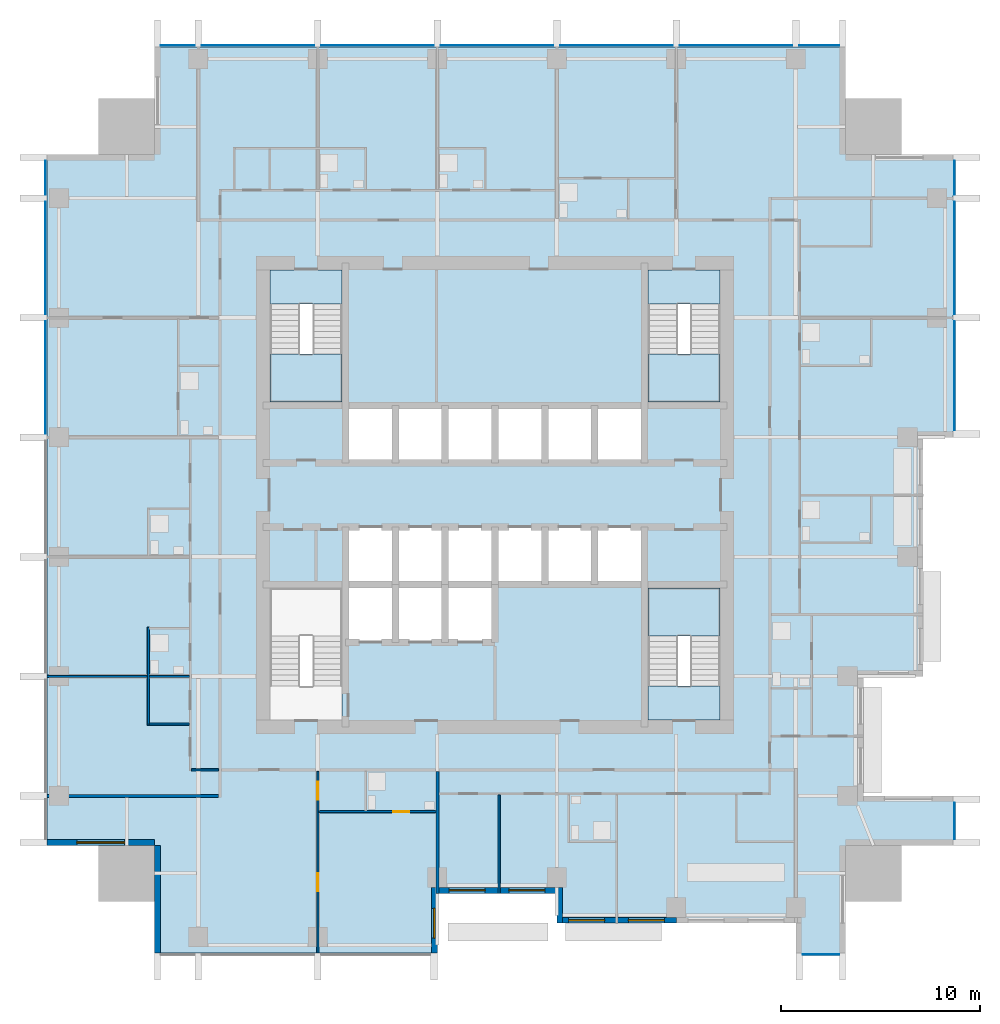
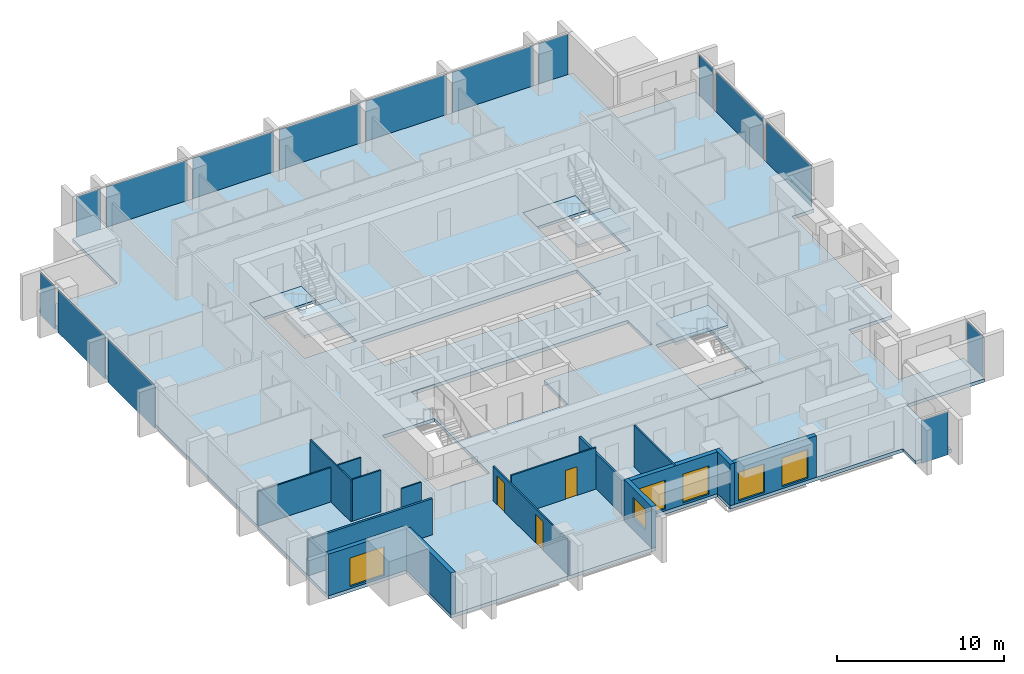
# One storey, part 3 of 10: 15 plates, 15 walls, 7 slabs, 6 windows, 3 doors, 9 openings, 8 elements without a shape of their own.
"""IFC4 building model written with IfcOpenShell, lengths in metres."""

import ifcopenshell
import ifcopenshell.guid

model = None  # the IFC model being written
_history = None  # IfcOwnerHistory: only IFC2X3 demands one
_inside = {}  # id of a spatial element -> (the spatial element, [elements in it])
_under = {}  # id of a project, library or spatial element -> (it, [spatial elements below it])
_declared = {}  # id of a project -> (the project, [libraries it declares])
_typed = {}  # id of a type object -> (the type object, [elements of that type])
_made_of = {}  # id of a material, layer set ... -> (it, [elements and type objects made of it])


def new_model(schema):
    """Start an empty IFC model of exactly this schema.

    Asked for "IFC4X3", IfcOpenShell would pick the latest addendum, in which some entities
    have other attributes; the version numbers below select the first issue.
    IFC2X3 requires an IfcOwnerHistory on every rooted entity: one is made here for all.
    """
    global model, _history
    if schema == "IFC4X3":
        model = ifcopenshell.file(schema_version=(4, 3, 0, 0))
    else:
        model = ifcopenshell.file(schema=schema)
    _inside.clear()
    _under.clear()
    _declared.clear()
    _typed.clear()
    _made_of.clear()
    _history = None
    if model.schema == "IFC2X3":
        org = make("IfcOrganization", Name="unknown")
        user = make(
            "IfcPersonAndOrganization",
            ThePerson=make("IfcPerson", FamilyName="unknown"),
            TheOrganization=org,
        )
        app = make(
            "IfcApplication",
            ApplicationDeveloper=org,
            Version="unknown",
            ApplicationFullName="unknown",
            ApplicationIdentifier="unknown",
        )
        _history = make(
            "IfcOwnerHistory",
            OwningUser=user,
            OwningApplication=app,
            ChangeAction="ADDED",
            CreationDate=0,
        )
    return model


def make(cls, **values):
    """One entity of the class cls with the attributes given. An attribute that is None is left unset."""
    return model.create_entity(
        cls, **{name: value for name, value in values.items() if value is not None}
    )


def rooted(cls, **values):
    """An entity with a GlobalId (a new one), such as an element, a storey or a relation."""
    return make(cls, GlobalId=ifcopenshell.guid.new(), OwnerHistory=_history, **values)


def si_unit(unit_type, name, prefix=None):
    """IfcSIUnit, for example si_unit("LENGTHUNIT", "METRE", prefix="MILLI")."""
    return make("IfcSIUnit", UnitType=unit_type, Prefix=prefix, Name=name)


def assignment(units):
    """IfcUnitAssignment: the units of a project."""
    return None if units is None else make("IfcUnitAssignment", Units=units)


def point(xyz):
    """IfcCartesianPoint."""
    return None if xyz is None else make("IfcCartesianPoint", Coordinates=xyz)


def direction(xyz):
    """IfcDirection."""
    return None if xyz is None else make("IfcDirection", DirectionRatios=xyz)


def frame(location, z_axis=None, x_axis=None):
    """IfcAxis2Placement3D, a coordinate frame: its origin and axes. An axis left out is left unset."""
    return make(
        "IfcAxis2Placement3D",
        Location=point(location),
        Axis=direction(z_axis),
        RefDirection=direction(x_axis),
    )


def frame_2d(location, x_axis=None):
    """IfcAxis2Placement2D, a coordinate frame in the plane: its origin and x axis."""
    return make(
        "IfcAxis2Placement2D", Location=point(location), RefDirection=direction(x_axis)
    )


def origin():
    """The frame at (0, 0, 0) with its axes left unset."""
    return frame((0.0, 0.0, 0.0))


def origin_2d():
    """The frame at (0, 0) in the plane with its x axis left unset."""
    return frame_2d((0.0, 0.0))


def place(relative_to, where):
    """IfcLocalPlacement: puts the frame where relative to a parent placement (None: the world)."""
    return make(
        "IfcLocalPlacement", PlacementRelTo=relative_to, RelativePlacement=where
    )


def context(
    kind, dimensions, precision=None, world=None, true_north=None, identifier=None
):
    """IfcGeometricRepresentationContext, for example the 3D "Model" context."""
    return make(
        "IfcGeometricRepresentationContext",
        ContextIdentifier=identifier,
        ContextType=kind,
        CoordinateSpaceDimension=dimensions,
        Precision=precision,
        WorldCoordinateSystem=world,
        TrueNorth=true_north,
    )


def subcontext(parent, identifier, kind, view, scale=None):
    """IfcGeometricRepresentationSubContext, for example "Body" below "Model"."""
    return make(
        "IfcGeometricRepresentationSubContext",
        ContextIdentifier=identifier,
        ContextType=kind,
        ParentContext=parent,
        TargetScale=scale,
        TargetView=view,
    )


def project(units=None, contexts=None):
    """IfcProject with its units and contexts."""
    return rooted(
        "IfcProject",
        Name="project",
        RepresentationContexts=contexts,
        UnitsInContext=assignment(units),
    )


def spatial(cls, under=None, at=None, **own):
    """A site, building, storey or space (cls), placed at a placement, below another one or the project."""
    s = rooted(cls, ObjectPlacement=at, **own)
    if under is not None:
        _under.setdefault(under.id(), (under, []))[1].append(s)
    return s


def polyline(points):
    """IfcPolyline through the points."""
    return make("IfcPolyline", Points=[point(p) for p in points])


def profile(cls, at=None, kind="AREA", **sizes):
    """A parametric profile (cls). Its sizes go by their IFC names, for example OverallWidth=200.0."""
    return make(cls, ProfileType=kind, Position=at, **sizes)


def rectangle(**sizes):
    """IfcRectangleProfileDef."""
    return profile("IfcRectangleProfileDef", **sizes)


def outline(outer, holes=None, kind="AREA"):
    """IfcArbitraryClosedProfileDef: a profile drawn as a closed curve; with holes, ...WithVoids."""
    if holes is None:
        return make("IfcArbitraryClosedProfileDef", ProfileType=kind, OuterCurve=outer)
    return make(
        "IfcArbitraryProfileDefWithVoids",
        ProfileType=kind,
        OuterCurve=outer,
        InnerCurves=holes,
    )


def extrude(swept, where, along, depth):
    """IfcExtrudedAreaSolid: the profile swept, set in the frame where, extruded along a direction by depth."""
    return make(
        "IfcExtrudedAreaSolid",
        SweptArea=swept,
        Position=where,
        ExtrudedDirection=direction(along),
        Depth=depth,
    )


def shape(context_of_items, identifier, shape_type, items):
    """IfcShapeRepresentation: the items that make up one representation, for example the "Body"."""
    return make(
        "IfcShapeRepresentation",
        ContextOfItems=context_of_items,
        RepresentationIdentifier=identifier,
        RepresentationType=shape_type,
        Items=items,
    )


def material(Name=None, Category=None):
    """IfcMaterial."""
    return make("IfcMaterial", Name=Name, Category=Category)


def layer(
    of_material, thickness, ventilated=None, Name=None, Category=None, Priority=None
):
    """IfcMaterialLayer: one layer of a wall or slab, of a material (None: an air gap)."""
    return make(
        "IfcMaterialLayer",
        Material=of_material,
        LayerThickness=thickness,
        IsVentilated=ventilated,
        Name=Name,
        Category=Category,
        Priority=Priority,
    )


def layer_set(layers, Name=None):
    """IfcMaterialLayerSet."""
    return make("IfcMaterialLayerSet", MaterialLayers=layers, LayerSetName=Name)


def made_of(thing, what):
    """Note that an element or type object is made of a material, layer set ...; save() writes the relation."""
    if what is not None:
        _made_of.setdefault(what.id(), (what, []))[1].append(thing)
    return thing


def type_object(cls, material=None, **own):
    """A type object (cls), such as IfcWallType, which elements share."""
    return made_of(rooted(cls, **own), material)


def element(
    cls,
    number,
    at=None,
    inside=None,
    cuts=None,
    type_object=None,
    material=None,
    context=None,
    identifier="Body",
    shape_type=None,
    held_by="IfcProductDefinitionShape",
    body=None,
    shapes=None,
    **own,
):
    """One element of the class cls, such as IfcWall. Its Tag is "e" and its number.

    at: its placement. inside: the storey or other place that contains it. cuts: it is an
    opening in that element (IfcRelVoidsElement). A single representation is given by context,
    identifier, shape_type and body (its items); several are given by shapes. held_by: the class
    of the entity that holds the representations. save() writes the other relations.
    """
    e = rooted(cls, Tag="e%d" % number, ObjectPlacement=at, **own)
    if body is not None:
        shapes = [shape(context, identifier, shape_type, body)]
    if shapes is not None:
        e.Representation = make(held_by, Representations=shapes)
    if inside is not None:
        _inside.setdefault(inside.id(), (inside, []))[1].append(e)
    if cuts is not None:
        rooted(
            "IfcRelVoidsElement", RelatingBuildingElement=cuts, RelatedOpeningElement=e
        )
    if type_object is not None:
        _typed.setdefault(type_object.id(), (type_object, []))[1].append(e)
    return made_of(e, material)


def fill(opening, filler):
    """IfcRelFillsElement: the door or window that sits in an opening."""
    return rooted(
        "IfcRelFillsElement",
        RelatingOpeningElement=opening,
        RelatedBuildingElement=filler,
    )


def aggregate(whole, parts):
    """IfcRelAggregates: a whole, such as a stair, and the parts it consists of."""
    return rooted("IfcRelAggregates", RelatingObject=whole, RelatedObjects=parts)


def save(model, path):
    """Write the relations noted so far, then the file.

    IfcRelAggregates (storeys below a building ...), IfcRelContainedInSpatialStructure (elements
    in a storey), IfcRelDefinesByType, IfcRelAssociatesMaterial and IfcRelDeclares: one each for
    every whole, place, type object, material and project.
    """
    for whole, parts in _under.values():
        aggregate(whole, parts)
    for where, things in _inside.values():
        rooted(
            "IfcRelContainedInSpatialStructure",
            RelatedElements=things,
            RelatingStructure=where,
        )
    for kind, things in _typed.values():
        rooted("IfcRelDefinesByType", RelatedObjects=things, RelatingType=kind)
    for what, things in _made_of.values():
        rooted("IfcRelAssociatesMaterial", RelatedObjects=things, RelatingMaterial=what)
    for by, libraries in _declared.values():
        rooted("IfcRelDeclares", RelatingContext=by, RelatedDefinitions=libraries)
    model.write(path)


model = new_model("IFC4")

# Units and contexts
model_context = context("Model", 3, precision=1e-05, world=origin(), true_north=direction((0.0, 1.0)))
body_context = subcontext(model_context, "Body", "Model", "MODEL_VIEW")
ifc_project = project(units=[si_unit("LENGTHUNIT", "METRE"), si_unit("AREAUNIT", "SQUARE_METRE"), si_unit("VOLUMEUNIT", "CUBIC_METRE"), si_unit("PLANEANGLEUNIT", "RADIAN"), si_unit("MASSUNIT", "GRAM", prefix="KILO")], contexts=[model_context])

# Site, building, storey
site_placement = place(None, origin())
site = spatial("IfcSite", under=ifc_project, at=site_placement, CompositionType="ELEMENT")
building_placement = place(site_placement, origin())
building = spatial("IfcBuilding", under=site, at=building_placement, Name="Amberfall Residences", CompositionType="ELEMENT")
storey_placement = place(building_placement, frame((0.0, 0.0, 140.5)))
storey = spatial("IfcBuildingStorey", under=building, at=storey_placement, Name="L37", CompositionType="ELEMENT", Elevation=140.5)

# Curtain wall, plate
ifc_material_1 = material(Name="Bronze anodised aluminium and glass", Category="aluminium")
curtain_wall_type = type_object("IfcCurtainWallType", Name="Curtain wall CW1 tower unit", PredefinedType="USERDEFINED", material=ifc_material_1)
curtain_wall_1_placement = place(storey_placement, origin())
curtain_wall_1 = element("IfcCurtainWall", 1, at=curtain_wall_1_placement, inside=storey, type_object=curtain_wall_type, Name="Curtain wall L37 S S8", ObjectType="UNITISED CURTAIN WALL", PredefinedType="USERDEFINED")
ifc_material_2 = material(Name="Tinted double glazed unit", Category="glass")
ifc_layer_1 = layer(ifc_material_2, 0.035888671875)
ifc_layer_set_1 = layer_set([ifc_layer_1], Name="CW1 panel 36 glazing")
plate_type = type_object("IfcPlateType", Name="CW1 panel 36 glazing", PredefinedType="CURTAIN_PANEL", material=ifc_layer_set_1)
plate_1_placement = place(storey_placement, frame((90.875, 22.425048828125, -0.25), z_axis=(0.0, 0.0, 1.0), x_axis=(1.0, 0.0, 0.0)))
plate_1 = element("IfcPlate", 2, at=plate_1_placement, type_object=plate_type, Name="CW1 panel 1.1", PredefinedType="CURTAIN_PANEL", context=body_context, shape_type="SweptSolid", body=[
    extrude(rectangle(XDim=1.825927734375, YDim=0.035888671875, at=origin_2d()), origin(), (0.0, 0.0, 1.0), 3.14990234375),
])
aggregate(curtain_wall_1, [plate_1])

curtain_wall_2_placement = place(storey_placement, origin())
curtain_wall_2 = element("IfcCurtainWall", 3, at=curtain_wall_2_placement, inside=storey, type_object=curtain_wall_type, Name="Curtain wall L37 E E1", ObjectType="UNITISED CURTAIN WALL", PredefinedType="USERDEFINED")
plate_2_placement = place(storey_placement, frame((97.574951171875, 29.125, -0.25), z_axis=(0.0, 0.0, 1.0), x_axis=(0.0, 1.0, 0.0)))
plate_2 = element("IfcPlate", 4, at=plate_2_placement, type_object=plate_type, Name="CW1 panel 1.1", PredefinedType="CURTAIN_PANEL", context=body_context, shape_type="SweptSolid", body=[
    extrude(rectangle(XDim=1.825927734375, YDim=0.035888671875, at=origin_2d()), origin(), (0.0, 0.0, 1.0), 3.14990234375),
])
aggregate(curtain_wall_2, [plate_2])

# Curtain wall, plates
curtain_wall_3_placement = place(storey_placement, origin())
curtain_wall_3 = element("IfcCurtainWall", 5, at=curtain_wall_3_placement, inside=storey, type_object=curtain_wall_type, Name="Curtain wall L37 E E8", ObjectType="UNITISED CURTAIN WALL", PredefinedType="USERDEFINED")
plate_3_placement = place(storey_placement, frame((97.574951171875, 51.487548828125, -0.25), z_axis=(0.0, 0.0, 1.0), x_axis=(0.0, 1.0, 0.0)))
plate_3 = element("IfcPlate", 6, at=plate_3_placement, type_object=plate_type, Name="CW1 panel 1.1", PredefinedType="CURTAIN_PANEL", context=body_context, shape_type="SweptSolid", body=[
    extrude(rectangle(XDim=5.450927734375, YDim=0.035888671875, at=origin_2d()), origin(), (0.0, 0.0, 1.0), 3.14990234375),
])
plate_4_placement = place(storey_placement, frame((97.574951171875, 57.39990234375, -0.25), z_axis=(0.0, 0.0, 1.0), x_axis=(0.0, 1.0, 0.0)))
plate_4 = element("IfcPlate", 7, at=plate_4_placement, type_object=plate_type, Name="CW1 panel 2.1", PredefinedType="CURTAIN_PANEL", context=body_context, shape_type="SweptSolid", body=[
    extrude(rectangle(XDim=5.6259765625, YDim=0.035888671875, at=origin_2d()), origin(), (0.0, 0.0, 1.0), 3.14990234375),
])
plate_5_placement = place(storey_placement, frame((97.574951171875, 61.4375, -0.25), z_axis=(0.0, 0.0, 1.0), x_axis=(0.0, 1.0, 0.0)))
plate_5 = element("IfcPlate", 8, at=plate_5_placement, type_object=plate_type, Name="CW1 panel 3.1", PredefinedType="CURTAIN_PANEL", context=body_context, shape_type="SweptSolid", body=[
    extrude(rectangle(XDim=1.700927734375, YDim=0.035888671875, at=origin_2d()), origin(), (0.0, 0.0, 1.0), 3.14990234375),
])
aggregate(curtain_wall_3, [plate_3, plate_4, plate_5])

curtain_wall_4_placement = place(storey_placement, origin())
curtain_wall_4 = element("IfcCurtainWall", 9, at=curtain_wall_4_placement, inside=storey, type_object=curtain_wall_type, Name="Curtain wall L37 N N1", ObjectType="UNITISED CURTAIN WALL", PredefinedType="USERDEFINED")
plate_6_placement = place(storey_placement, frame((90.78759765625, 68.074951171875, -0.25), z_axis=(0.0, 0.0, 1.0), x_axis=(-1.0, 0.0, 0.0)))
plate_6 = element("IfcPlate", 10, at=plate_6_placement, type_object=plate_type, Name="CW1 panel 1.1", PredefinedType="CURTAIN_PANEL", context=body_context, shape_type="SweptSolid", body=[
    extrude(rectangle(XDim=2.0009765625, YDim=0.035888671875, at=origin_2d()), origin(), (0.0, 0.0, 1.0), 3.14990234375),
])
plate_7_placement = place(storey_placement, frame((86.60009765625, 68.074951171875, -0.25), z_axis=(0.0, 0.0, 1.0), x_axis=(-1.0, 0.0, 0.0)))
plate_7 = element("IfcPlate", 11, at=plate_7_placement, type_object=plate_type, Name="CW1 panel 2.1", PredefinedType="CURTAIN_PANEL", context=body_context, shape_type="SweptSolid", body=[
    extrude(rectangle(XDim=5.6259765625, YDim=0.035888671875, at=origin_2d()), origin(), (0.0, 0.0, 1.0), 3.14990234375),
])
plate_8_placement = place(storey_placement, frame((80.60009765625, 68.074951171875, -0.25), z_axis=(0.0, 0.0, 1.0), x_axis=(-1.0, 0.0, 0.0)))
plate_8 = element("IfcPlate", 12, at=plate_8_placement, type_object=plate_type, Name="CW1 panel 3.1", PredefinedType="CURTAIN_PANEL", context=body_context, shape_type="SweptSolid", body=[
    extrude(rectangle(XDim=5.6259765625, YDim=0.035888671875, at=origin_2d()), origin(), (0.0, 0.0, 1.0), 3.14990234375),
])
plate_9_placement = place(storey_placement, frame((74.60009765625, 68.074951171875, -0.25), z_axis=(0.0, 0.0, 1.0), x_axis=(-1.0, 0.0, 0.0)))
plate_9 = element("IfcPlate", 13, at=plate_9_placement, type_object=plate_type, Name="CW1 panel 4.1", PredefinedType="CURTAIN_PANEL", context=body_context, shape_type="SweptSolid", body=[
    extrude(rectangle(XDim=5.6259765625, YDim=0.035888671875, at=origin_2d()), origin(), (0.0, 0.0, 1.0), 3.14990234375),
])
plate_10_placement = place(storey_placement, frame((68.60009765625, 68.074951171875, -0.25), z_axis=(0.0, 0.0, 1.0), x_axis=(-1.0, 0.0, 0.0)))
plate_10 = element("IfcPlate", 14, at=plate_10_placement, type_object=plate_type, Name="CW1 panel 5.1", PredefinedType="CURTAIN_PANEL", context=body_context, shape_type="SweptSolid", body=[
    extrude(rectangle(XDim=5.6259765625, YDim=0.035888671875, at=origin_2d()), origin(), (0.0, 0.0, 1.0), 3.14990234375),
])
plate_11_placement = place(storey_placement, frame((62.60009765625, 68.074951171875, -0.25), z_axis=(0.0, 0.0, 1.0), x_axis=(-1.0, 0.0, 0.0)))
plate_11 = element("IfcPlate", 15, at=plate_11_placement, type_object=plate_type, Name="CW1 panel 6.1", PredefinedType="CURTAIN_PANEL", context=body_context, shape_type="SweptSolid", body=[
    extrude(rectangle(XDim=5.6259765625, YDim=0.035888671875, at=origin_2d()), origin(), (0.0, 0.0, 1.0), 3.14990234375),
])
plate_12_placement = place(storey_placement, frame((58.5625, 68.074951171875, -0.25), z_axis=(0.0, 0.0, 1.0), x_axis=(-1.0, 0.0, 0.0)))
plate_12 = element("IfcPlate", 16, at=plate_12_placement, type_object=plate_type, Name="CW1 panel 7.1", PredefinedType="CURTAIN_PANEL", context=body_context, shape_type="SweptSolid", body=[
    extrude(rectangle(XDim=1.700927734375, YDim=0.035888671875, at=origin_2d()), origin(), (0.0, 0.0, 1.0), 3.14990234375),
])
aggregate(curtain_wall_4, [plate_6, plate_7, plate_8, plate_9, plate_10, plate_11, plate_12])

curtain_wall_5_placement = place(storey_placement, origin())
curtain_wall_5 = element("IfcCurtainWall", 17, at=curtain_wall_5_placement, inside=storey, type_object=curtain_wall_type, Name="Curtain wall L37 W W1", ObjectType="UNITISED CURTAIN WALL", PredefinedType="USERDEFINED")
plate_13_placement = place(storey_placement, frame((51.925048828125, 61.4375, -0.25), z_axis=(0.0, 0.0, 1.0), x_axis=(0.0, -1.0, 0.0)))
plate_13 = element("IfcPlate", 18, at=plate_13_placement, type_object=plate_type, Name="CW1 panel 1.1", PredefinedType="CURTAIN_PANEL", context=body_context, shape_type="SweptSolid", body=[
    extrude(rectangle(XDim=1.700927734375, YDim=0.035888671875, at=origin_2d()), origin(), (0.0, 0.0, 1.0), 3.14990234375),
])
plate_14_placement = place(storey_placement, frame((51.925048828125, 57.39990234375, -0.25), z_axis=(0.0, 0.0, 1.0), x_axis=(0.0, -1.0, 0.0)))
plate_14 = element("IfcPlate", 19, at=plate_14_placement, type_object=plate_type, Name="CW1 panel 2.1", PredefinedType="CURTAIN_PANEL", context=body_context, shape_type="SweptSolid", body=[
    extrude(rectangle(XDim=5.6259765625, YDim=0.035888671875, at=origin_2d()), origin(), (0.0, 0.0, 1.0), 3.14990234375),
])
plate_15_placement = place(storey_placement, frame((51.925048828125, 51.39990234375, -0.25), z_axis=(0.0, 0.0, 1.0), x_axis=(0.0, -1.0, 0.0)))
plate_15 = element("IfcPlate", 20, at=plate_15_placement, type_object=plate_type, Name="CW1 panel 3.1", PredefinedType="CURTAIN_PANEL", context=body_context, shape_type="SweptSolid", body=[
    extrude(rectangle(XDim=5.6259765625, YDim=0.035888671875, at=origin_2d()), origin(), (0.0, 0.0, 1.0), 3.14990234375),
])
aggregate(curtain_wall_5, [plate_13, plate_14, plate_15])

# Slab
ifc_material_3 = material(Name="Concrete C60", Category="concrete")
ifc_layer_2 = layer(ifc_material_3, 0.25)
ifc_layer_set_2 = layer_set([ifc_layer_2], Name="Floor slab 250 C60")
slab_type_1 = type_object("IfcSlabType", Name="Floor slab 250 C60", PredefinedType="FLOOR", material=ifc_layer_set_2)
slab_1_placement = place(storey_placement, frame((0.0, 0.0, -0.25)))
element("IfcSlab", 21, at=slab_1_placement, inside=storey, type_object=slab_type_1, Name="Floor slab S10 L37", PredefinedType="FLOOR", context=body_context, shape_type="SweptSolid", body=[
    extrude(outline(polyline([(89.60009765625, 22.5), (89.60009765625, 24.0), (83.60009765625, 24.0), (77.60009765625, 24.0), (77.60009765625, 25.5), (71.60009765625, 25.5), (71.60009765625, 22.5), (57.39990234375, 22.5), (57.39990234375, 27.89990234375), (52.0, 27.89990234375), (52.0, 62.60009765625), (57.39990234375, 62.60009765625), (57.39990234375, 68.0), (92.10009765625, 68.0), (92.10009765625, 62.60009765625), (97.5, 62.60009765625), (97.5, 48.39990234375), (96.0, 48.39990234375), (96.0, 42.39990234375), (96.0, 36.39990234375), (93.0, 36.39990234375), (93.0, 30.39990234375), (97.5, 30.39990234375), (97.5, 27.89990234375), (92.10009765625, 27.89990234375), (92.10009765625, 22.5), (89.60009765625, 22.5)]), holes=[polyline([(85.800048828125, 34.199951171875), (85.800048828125, 40.824951171875), (82.175048828125, 40.824951171875), (82.175048828125, 34.199951171875), (85.800048828125, 34.199951171875)]), polyline([(82.175048828125, 50.175048828125), (85.800048828125, 50.175048828125), (85.800048828125, 56.800048828125), (82.175048828125, 56.800048828125), (82.175048828125, 50.175048828125)]), polyline([(69.5, 50.0), (67.0, 50.0), (67.0, 47.10009765625), (69.5, 47.10009765625), (72.0, 47.10009765625), (74.5, 47.10009765625), (77.0, 47.10009765625), (79.5, 47.10009765625), (82.0, 47.10009765625), (82.0, 50.0), (79.5, 50.0), (77.0, 50.0), (74.5, 50.0), (72.0, 50.0), (69.5, 50.0)]), polyline([(74.5, 41.0), (77.0, 41.0), (79.5, 41.0), (82.0, 41.0), (82.0, 43.89990234375), (79.5, 43.89990234375), (77.0, 43.89990234375), (74.5, 43.89990234375), (72.0, 43.89990234375), (69.5, 43.89990234375), (67.0, 43.89990234375), (67.0, 41.0), (67.0, 38.10009765625), (69.5, 38.10009765625), (72.0, 38.10009765625), (74.5, 38.10009765625), (74.5, 41.0)]), polyline([(66.824951171875, 34.199951171875), (66.824951171875, 40.824951171875), (63.199951171875, 40.824951171875), (63.199951171875, 34.199951171875), (66.824951171875, 34.199951171875)]), polyline([(66.824951171875, 50.175048828125), (66.824951171875, 56.800048828125), (63.199951171875, 56.800048828125), (63.199951171875, 50.175048828125), (66.824951171875, 50.175048828125)])]), origin(), (0.0, 0.0, 1.0), 0.25),
])

# Stair, slabs
ifc_material_4 = material(Name="Concrete C40", Category="concrete")
stair_type = type_object("IfcStairType", Name="Exit stair 20 risers 165.0 mm", PredefinedType="HALF_TURN_STAIR", material=ifc_material_4)
stair_1_placement = place(storey_placement, origin())
stair_1 = element("IfcStair", 22, at=stair_1_placement, inside=storey, type_object=stair_type, Name="L37 Exit stair 2", PredefinedType="HALF_TURN_STAIR")
ifc_layer_3 = layer(ifc_material_4, 0.199951171875)
ifc_layer_set_3 = layer_set([ifc_layer_3], Name="Stair landing 200")
slab_type_2 = type_object("IfcSlabType", Name="Stair landing 200", PredefinedType="LANDING", material=ifc_layer_set_3)
slab_2_placement = place(storey_placement, frame((0.0, 0.0, 1.449951171875)))
slab_2 = element("IfcSlab", 23, at=slab_2_placement, type_object=slab_type_2, Name="ST3 landing 1", PredefinedType="LANDING", context=body_context, shape_type="SweptSolid", body=[
    extrude(outline(polyline([(85.800048828125, 38.419921875), (85.800048828125, 40.824951171875), (82.175048828125, 40.824951171875), (82.175048828125, 38.419921875), (85.800048828125, 38.419921875)])), origin(), (0.0, 0.0, 1.0), 0.199951171875),
])
slab_3_placement = place(storey_placement, frame((0.0, 0.0, -0.199951171875)))
slab_3 = element("IfcSlab", 24, at=slab_3_placement, type_object=slab_type_2, Name="ST3 landing 2", PredefinedType="LANDING", context=body_context, shape_type="SweptSolid", body=[
    extrude(outline(polyline([(85.800048828125, 34.199951171875), (85.800048828125, 35.89990234375), (82.175048828125, 35.89990234375), (82.175048828125, 34.199951171875), (85.800048828125, 34.199951171875)])), origin(), (0.0, 0.0, 1.0), 0.199951171875),
])
aggregate(stair_1, [slab_2, slab_3])

stair_2_placement = place(storey_placement, origin())
stair_2 = element("IfcStair", 25, at=stair_2_placement, inside=storey, type_object=stair_type, Name="L37 Exit stair 3", PredefinedType="HALF_TURN_STAIR")
slab_4_placement = place(storey_placement, frame((0.0, 0.0, 1.449951171875)))
slab_4 = element("IfcSlab", 26, at=slab_4_placement, type_object=slab_type_2, Name="ST3 landing 1", PredefinedType="LANDING", context=body_context, shape_type="SweptSolid", body=[
    extrude(outline(polyline([(82.175048828125, 52.580078125), (82.175048828125, 50.175048828125), (85.800048828125, 50.175048828125), (85.800048828125, 52.580078125), (82.175048828125, 52.580078125)])), origin(), (0.0, 0.0, 1.0), 0.199951171875),
])
slab_5_placement = place(storey_placement, frame((0.0, 0.0, -0.199951171875)))
slab_5 = element("IfcSlab", 27, at=slab_5_placement, type_object=slab_type_2, Name="ST3 landing 2", PredefinedType="LANDING", context=body_context, shape_type="SweptSolid", body=[
    extrude(outline(polyline([(82.175048828125, 56.800048828125), (82.175048828125, 55.10009765625), (85.800048828125, 55.10009765625), (85.800048828125, 56.800048828125), (82.175048828125, 56.800048828125)])), origin(), (0.0, 0.0, 1.0), 0.199951171875),
])
aggregate(stair_2, [slab_4, slab_5])

stair_3_placement = place(storey_placement, origin())
stair_3 = element("IfcStair", 28, at=stair_3_placement, inside=storey, type_object=stair_type, Name="L37 Exit stair 4", PredefinedType="HALF_TURN_STAIR")
slab_6_placement = place(storey_placement, frame((0.0, 0.0, 1.449951171875)))
slab_6 = element("IfcSlab", 29, at=slab_6_placement, type_object=slab_type_2, Name="ST3 landing 1", PredefinedType="LANDING", context=body_context, shape_type="SweptSolid", body=[
    extrude(outline(polyline([(63.199951171875, 52.580078125), (63.199951171875, 50.175048828125), (66.824951171875, 50.175048828125), (66.824951171875, 52.580078125), (63.199951171875, 52.580078125)])), origin(), (0.0, 0.0, 1.0), 0.199951171875),
])
slab_7_placement = place(storey_placement, frame((0.0, 0.0, -0.199951171875)))
slab_7 = element("IfcSlab", 30, at=slab_7_placement, type_object=slab_type_2, Name="ST3 landing 2", PredefinedType="LANDING", context=body_context, shape_type="SweptSolid", body=[
    extrude(outline(polyline([(63.199951171875, 56.800048828125), (63.199951171875, 55.10009765625), (66.824951171875, 55.10009765625), (66.824951171875, 56.800048828125), (63.199951171875, 56.800048828125)])), origin(), (0.0, 0.0, 1.0), 0.199951171875),
])
aggregate(stair_3, [slab_6, slab_7])

# Wall, opening, window
ifc_material_5 = material(Name="Pale stone cladding on insulated backing", Category="masonry")
ifc_layer_4 = layer(ifc_material_5, 0.300048828125)
ifc_layer_set_4 = layer_set([ifc_layer_4], Name="Bronze clad wall 300")
wall_type_1 = type_object("IfcWallType", Name="Bronze clad wall 300", PredefinedType="SOLIDWALL", material=ifc_layer_set_4)
wall_1_placement = place(storey_placement, frame((71.449951171875, 22.5, 0.0), z_axis=(0.0, 0.0, 1.0), x_axis=(0.0, 1.0, 0.0)))
wall_1 = element("IfcWall", 31, at=wall_1_placement, inside=storey, type_object=wall_type_1, Name="External wall L37 S", PredefinedType="SOLIDWALL", context=body_context, shape_type="SweptSolid", body=[
    extrude(rectangle(XDim=3.300048828125, YDim=0.300048828125, at=frame_2d((1.64990234375, 0.0))), origin(), (0.0, 0.0, 1.0), 3.050048828125),
])
opening_1_placement = place(wall_1_placement, frame((0.75, 0.0, 0.89990234375)))
opening_1 = element("IfcOpeningElement", 32, at=opening_1_placement, cuts=wall_1, Name="Opening WN1", PredefinedType="OPENING", context=body_context, shape_type="SweptSolid", body=[
    extrude(rectangle(XDim=1.5, YDim=1.5, at=frame_2d((0.75, 0.75))), frame((0.0, 0.159912109375, 0.0), z_axis=(0.0, -1.0, 0.0), x_axis=(1.0, 0.0, 0.0)), (0.0, 0.0, 1.0), 0.320068359375),
])
ifc_material_6 = material(Name="Bronze aluminium framed glazing", Category="aluminium")
window_type_1 = type_object("IfcWindowType", Name="Window 1500 x 1500 bronze", PartitioningType="DOUBLE_PANEL_VERTICAL", PredefinedType="WINDOW", material=ifc_material_6)
window_1_placement = place(opening_1_placement, origin())
window_1 = element("IfcWindow", 33, at=window_1_placement, inside=storey, type_object=window_type_1, Name="Window L37 S", OverallHeight=1.5, OverallWidth=1.5, PartitioningType="DOUBLE_PANEL_VERTICAL", PredefinedType="WINDOW", context=body_context, shape_type="SweptSolid", body=[
    extrude(rectangle(XDim=1.5, YDim=1.5, at=frame_2d((0.75, 0.75))), frame((0.0, 0.030029296875, 0.0), z_axis=(0.0, -1.0, 0.0), x_axis=(1.0, 0.0, 0.0)), (0.0, 0.0, 1.0), 0.06005859375),
])
fill(opening_1, window_1)

# Wall
wall_2_placement = place(storey_placement, frame((77.75, 25.800048828125, 0.0), z_axis=(0.0, 0.0, 1.0), x_axis=(0.0, -1.0, 0.0)))
element("IfcWall", 34, at=wall_2_placement, inside=storey, type_object=wall_type_1, Name="External wall L37 S", PredefinedType="SOLIDWALL", context=body_context, shape_type="SweptSolid", body=[
    extrude(rectangle(XDim=1.800048828125, YDim=0.300048828125, at=frame_2d((0.89990234375, 0.0))), origin(), (0.0, 0.0, 1.0), 3.050048828125),
])

# Wall, opening, window
wall_3_placement = place(storey_placement, frame((52.0, 28.050048828125, 0.0), z_axis=(0.0, 0.0, 1.0), x_axis=(1.0, 0.0, 0.0)))
wall_3 = element("IfcWall", 35, at=wall_3_placement, inside=storey, type_object=wall_type_1, Name="External wall L37 SW", PredefinedType="SOLIDWALL", context=body_context, shape_type="SweptSolid", body=[
    extrude(rectangle(XDim=5.39990234375, YDim=0.300048828125, at=frame_2d((2.699951171875, 0.0))), origin(), (0.0, 0.0, 1.0), 3.050048828125),
])
opening_2_placement = place(wall_3_placement, frame((1.5, 0.0, 0.14990234375)))
opening_2 = element("IfcOpeningElement", 36, at=opening_2_placement, cuts=wall_3, Name="Opening WN5", PredefinedType="OPENING", context=body_context, shape_type="SweptSolid", body=[
    extrude(rectangle(XDim=2.39990234375, YDim=2.10009765625, at=frame_2d((1.199951171875, 1.050048828125))), frame((0.0, 0.159912109375, 0.0), z_axis=(0.0, -1.0, 0.0), x_axis=(1.0, 0.0, 0.0)), (0.0, 0.0, 1.0), 0.320068359375),
])
window_type_2 = type_object("IfcWindowType", Name="Glazed opening 2400 x 2100 bronze", PartitioningType="DOUBLE_PANEL_VERTICAL", PredefinedType="WINDOW", material=ifc_material_6)
window_2_placement = place(opening_2_placement, origin())
window_2 = element("IfcWindow", 37, at=window_2_placement, inside=storey, type_object=window_type_2, Name="Window L37 SW", OverallHeight=2.10009765625, OverallWidth=2.39990234375, PartitioningType="DOUBLE_PANEL_VERTICAL", PredefinedType="WINDOW", context=body_context, shape_type="SweptSolid", body=[
    extrude(rectangle(XDim=2.39990234375, YDim=2.10009765625, at=frame_2d((1.199951171875, 1.050048828125))), frame((0.0, 0.030029296875, 0.0), z_axis=(0.0, -1.0, 0.0), x_axis=(1.0, 0.0, 0.0)), (0.0, 0.0, 1.0), 0.06005859375),
])
fill(opening_2, window_2)

# Wall
wall_4_placement = place(storey_placement, frame((57.550048828125, 27.89990234375, 0.0), z_axis=(0.0, 0.0, 1.0), x_axis=(0.0, -1.0, 0.0)))
element("IfcWall", 38, at=wall_4_placement, inside=storey, type_object=wall_type_1, Name="External wall L37 SW", PredefinedType="SOLIDWALL", context=body_context, shape_type="SweptSolid", body=[
    extrude(rectangle(XDim=5.39990234375, YDim=0.300048828125, at=frame_2d((2.699951171875, 0.0))), origin(), (0.0, 0.0, 1.0), 3.050048828125),
])

# Wall, openings, windows
wall_5_placement = place(storey_placement, frame((71.60009765625, 25.64990234375, 0.0), z_axis=(0.0, 0.0, 1.0), x_axis=(1.0, 0.0, 0.0)))
wall_5 = element("IfcWall", 39, at=wall_5_placement, inside=storey, type_object=wall_type_1, Name="Stone wall L37 S", PredefinedType="SOLIDWALL", context=body_context, shape_type="SweptSolid", body=[
    extrude(rectangle(XDim=6.0, YDim=0.300048828125, at=frame_2d((3.0, 0.0))), origin(), (0.0, 0.0, 1.0), 3.050048828125),
])
opening_3_placement = place(wall_5_placement, frame((0.60009765625, 0.0, 0.14990234375)))
opening_3 = element("IfcOpeningElement", 40, at=opening_3_placement, cuts=wall_5, Name="Opening WN6", PredefinedType="OPENING", context=body_context, shape_type="SweptSolid", body=[
    extrude(rectangle(XDim=1.800048828125, YDim=2.10009765625, at=frame_2d((0.89990234375, 1.050048828125))), frame((0.0, 0.159912109375, 0.0), z_axis=(0.0, -1.0, 0.0), x_axis=(1.0, 0.0, 0.0)), (0.0, 0.0, 1.0), 0.320068359375),
])
opening_4_placement = place(wall_5_placement, frame((3.60009765625, 0.0, 0.14990234375)))
opening_4 = element("IfcOpeningElement", 41, at=opening_4_placement, cuts=wall_5, Name="Opening WN6", PredefinedType="OPENING", context=body_context, shape_type="SweptSolid", body=[
    extrude(rectangle(XDim=1.800048828125, YDim=2.10009765625, at=frame_2d((0.89990234375, 1.050048828125))), frame((0.0, 0.159912109375, 0.0), z_axis=(0.0, -1.0, 0.0), x_axis=(1.0, 0.0, 0.0)), (0.0, 0.0, 1.0), 0.320068359375),
])
window_type_3 = type_object("IfcWindowType", Name="Glazed opening 1800 x 2100 bronze", PartitioningType="DOUBLE_PANEL_VERTICAL", PredefinedType="WINDOW", material=ifc_material_6)
window_3_placement = place(opening_3_placement, origin())
window_3 = element("IfcWindow", 42, at=window_3_placement, inside=storey, type_object=window_type_3, Name="Window L37 S", OverallHeight=2.10009765625, OverallWidth=1.800048828125, PartitioningType="DOUBLE_PANEL_VERTICAL", PredefinedType="WINDOW", context=body_context, shape_type="SweptSolid", body=[
    extrude(rectangle(XDim=1.800048828125, YDim=2.10009765625, at=frame_2d((0.89990234375, 1.050048828125))), frame((0.0, 0.030029296875, 0.0), z_axis=(0.0, -1.0, 0.0), x_axis=(1.0, 0.0, 0.0)), (0.0, 0.0, 1.0), 0.06005859375),
])
fill(opening_3, window_3)
window_4_placement = place(opening_4_placement, origin())
window_4 = element("IfcWindow", 43, at=window_4_placement, inside=storey, type_object=window_type_3, Name="Window L37 S", OverallHeight=2.10009765625, OverallWidth=1.800048828125, PartitioningType="DOUBLE_PANEL_VERTICAL", PredefinedType="WINDOW", context=body_context, shape_type="SweptSolid", body=[
    extrude(rectangle(XDim=1.800048828125, YDim=2.10009765625, at=frame_2d((0.89990234375, 1.050048828125))), frame((0.0, 0.030029296875, 0.0), z_axis=(0.0, -1.0, 0.0), x_axis=(1.0, 0.0, 0.0)), (0.0, 0.0, 1.0), 0.06005859375),
])
fill(opening_4, window_4)

wall_6_placement = place(storey_placement, frame((77.89990234375, 24.14990234375, 0.0), z_axis=(0.0, 0.0, 1.0), x_axis=(1.0, 0.0, 0.0)))
wall_6 = element("IfcWall", 44, at=wall_6_placement, inside=storey, type_object=wall_type_1, Name="Stone wall L37 S", PredefinedType="SOLIDWALL", context=body_context, shape_type="SweptSolid", body=[
    extrude(rectangle(XDim=5.7001953125, YDim=0.300048828125, at=frame_2d((2.85009765625, 0.0))), origin(), (0.0, 0.0, 1.0), 3.050048828125),
])
opening_5_placement = place(wall_6_placement, frame((0.300048828125, 0.0, 0.14990234375)))
opening_5 = element("IfcOpeningElement", 45, at=opening_5_placement, cuts=wall_6, Name="Opening WN6", PredefinedType="OPENING", context=body_context, shape_type="SweptSolid", body=[
    extrude(rectangle(XDim=1.800048828125, YDim=2.10009765625, at=frame_2d((0.89990234375, 1.050048828125))), frame((0.0, 0.159912109375, 0.0), z_axis=(0.0, -1.0, 0.0), x_axis=(1.0, 0.0, 0.0)), (0.0, 0.0, 1.0), 0.320068359375),
])
opening_6_placement = place(wall_6_placement, frame((3.300048828125, 0.0, 0.14990234375)))
opening_6 = element("IfcOpeningElement", 46, at=opening_6_placement, cuts=wall_6, Name="Opening WN6", PredefinedType="OPENING", context=body_context, shape_type="SweptSolid", body=[
    extrude(rectangle(XDim=1.800048828125, YDim=2.10009765625, at=frame_2d((0.89990234375, 1.050048828125))), frame((0.0, 0.159912109375, 0.0), z_axis=(0.0, -1.0, 0.0), x_axis=(1.0, 0.0, 0.0)), (0.0, 0.0, 1.0), 0.320068359375),
])
window_5_placement = place(opening_5_placement, origin())
window_5 = element("IfcWindow", 47, at=window_5_placement, inside=storey, type_object=window_type_3, Name="Window L37 S", OverallHeight=2.10009765625, OverallWidth=1.800048828125, PartitioningType="DOUBLE_PANEL_VERTICAL", PredefinedType="WINDOW", context=body_context, shape_type="SweptSolid", body=[
    extrude(rectangle(XDim=1.800048828125, YDim=2.10009765625, at=frame_2d((0.89990234375, 1.050048828125))), frame((0.0, 0.030029296875, 0.0), z_axis=(0.0, -1.0, 0.0), x_axis=(1.0, 0.0, 0.0)), (0.0, 0.0, 1.0), 0.06005859375),
])
fill(opening_5, window_5)
window_6_placement = place(opening_6_placement, origin())
window_6 = element("IfcWindow", 48, at=window_6_placement, inside=storey, type_object=window_type_3, Name="Window L37 S", OverallHeight=2.10009765625, OverallWidth=1.800048828125, PartitioningType="DOUBLE_PANEL_VERTICAL", PredefinedType="WINDOW", context=body_context, shape_type="SweptSolid", body=[
    extrude(rectangle(XDim=1.800048828125, YDim=2.10009765625, at=frame_2d((0.89990234375, 1.050048828125))), frame((0.0, 0.030029296875, 0.0), z_axis=(0.0, -1.0, 0.0), x_axis=(1.0, 0.0, 0.0)), (0.0, 0.0, 1.0), 0.06005859375),
])
fill(opening_6, window_6)

# Wall
ifc_material_7 = material(Name="Gypsum board on metal stud")
ifc_layer_5 = layer(ifc_material_7, 0.10009765625)
ifc_layer_set_5 = layer_set([ifc_layer_5], Name="Flat partition 100")
wall_type_2 = type_object("IfcWallType", Name="Flat partition 100", PredefinedType="PARTITIONING", material=ifc_layer_set_5)
wall_7_placement = place(storey_placement, frame((57.10009765625, 33.949951171875, 0.0), z_axis=(0.0, 0.0, 1.0), x_axis=(0.0, 1.0, 0.0)))
element("IfcWall", 49, at=wall_7_placement, inside=storey, type_object=wall_type_2, Name="Partition 001", PredefinedType="PARTITIONING", context=body_context, shape_type="SweptSolid", body=[
    extrude(rectangle(XDim=4.900146484375, YDim=0.10009765625, at=frame_2d((2.4501953125, 0.0))), origin(), (0.0, 0.0, 1.0), 3.050048828125),
])

# Wall, openings, doors
wall_8_placement = place(storey_placement, frame((65.60009765625, 31.625, 0.0), z_axis=(0.0, 0.0, 1.0), x_axis=(0.0, -1.0, 0.0)))
wall_8 = element("IfcWall", 50, at=wall_8_placement, inside=storey, type_object=wall_type_2, Name="Partition 008", PredefinedType="PARTITIONING", context=body_context, shape_type="SweptSolid", body=[
    extrude(rectangle(XDim=9.125, YDim=0.10009765625, at=frame_2d((4.5625, 0.0))), origin(), (0.0, 0.0, 1.0), 2.51611328125),
])
opening_7_placement = place(wall_8_placement, frame((0.52490234375, 0.0, 0.0)))
opening_7 = element("IfcOpeningElement", 51, at=opening_7_placement, cuts=wall_8, Name="Opening D41", PredefinedType="OPENING", context=body_context, shape_type="SweptSolid", body=[
    extrude(rectangle(XDim=0.89990234375, YDim=2.10009765625, at=frame_2d((0.449951171875, 1.050048828125))), frame((0.0, 0.06005859375, 0.0), z_axis=(0.0, -1.0, 0.0), x_axis=(1.0, 0.0, 0.0)), (0.0, 0.0, 1.0), 0.1201171875),
])
opening_8_placement = place(wall_8_placement, frame((5.125, 0.0, 0.0)))
opening_8 = element("IfcOpeningElement", 52, at=opening_8_placement, cuts=wall_8, Name="Opening D41", PredefinedType="OPENING", context=body_context, shape_type="SweptSolid", body=[
    extrude(rectangle(XDim=0.89990234375, YDim=2.10009765625, at=frame_2d((0.449951171875, 1.050048828125))), frame((0.0, 0.06005859375, 0.0), z_axis=(0.0, -1.0, 0.0), x_axis=(1.0, 0.0, 0.0)), (0.0, 0.0, 1.0), 0.1201171875),
])
ifc_material_8 = material(Name="Timber", Category="wood")
door_type_1 = type_object("IfcDoorType", Name="Internal door 900 x 2100", OperationType="SINGLE_SWING_LEFT", PredefinedType="DOOR", material=ifc_material_8)
door_1_placement = place(opening_7_placement, origin())
door_1 = element("IfcDoor", 53, at=door_1_placement, inside=storey, type_object=door_type_1, Name="Door 3701 kitchen", OperationType="SINGLE_SWING_LEFT", OverallHeight=2.10009765625, OverallWidth=0.89990234375, PredefinedType="DOOR", context=body_context, shape_type="SweptSolid", body=[
    extrude(rectangle(XDim=0.89990234375, YDim=2.10009765625, at=frame_2d((0.449951171875, 1.050048828125))), frame((0.0, 0.02490234375, 0.0), z_axis=(0.0, -1.0, 0.0), x_axis=(1.0, 0.0, 0.0)), (0.0, 0.0, 1.0), 0.050048828125),
])
fill(opening_7, door_1)
door_2_placement = place(opening_8_placement, origin())
door_2 = element("IfcDoor", 54, at=door_2_placement, inside=storey, type_object=door_type_1, Name="Door 3701 bedroom1", OperationType="SINGLE_SWING_LEFT", OverallHeight=2.10009765625, OverallWidth=0.89990234375, PredefinedType="DOOR", context=body_context, shape_type="SweptSolid", body=[
    extrude(rectangle(XDim=0.89990234375, YDim=2.10009765625, at=frame_2d((0.449951171875, 1.050048828125))), frame((0.0, 0.02490234375, 0.0), z_axis=(0.0, -1.0, 0.0), x_axis=(1.0, 0.0, 0.0)), (0.0, 0.0, 1.0), 0.050048828125),
])
fill(opening_8, door_2)

# Walls
wall_9_placement = place(storey_placement, frame((74.699951171875, 25.5, 0.0), z_axis=(0.0, 0.0, 1.0), x_axis=(0.0, 1.0, 0.0)))
element("IfcWall", 55, at=wall_9_placement, inside=storey, type_object=wall_type_2, Name="Partition 014", PredefinedType="PARTITIONING", context=body_context, shape_type="SweptSolid", body=[
    extrude(rectangle(XDim=4.949951171875, YDim=0.10009765625, at=frame_2d((2.47509765625, 0.0))), origin(), (0.0, 0.0, 1.0), 3.050048828125),
])
wall_10_placement = place(storey_placement, frame((52.0, 36.39990234375, 0.0), z_axis=(0.0, 0.0, 1.0), x_axis=(1.0, 0.0, 0.0)))
element("IfcWall", 56, at=wall_10_placement, inside=storey, type_object=wall_type_2, Name="Partition 041", PredefinedType="PARTITIONING", context=body_context, shape_type="SweptSolid", body=[
    extrude(rectangle(XDim=7.14990234375, YDim=0.10009765625, at=frame_2d((3.574951171875, 0.0))), origin(), (0.0, 0.0, 1.0), 2.51611328125),
])
wall_11_placement = place(storey_placement, frame((57.14990234375, 34.0, 0.0), z_axis=(0.0, 0.0, 1.0), x_axis=(1.0, 0.0, 0.0)))
element("IfcWall", 57, at=wall_11_placement, inside=storey, type_object=wall_type_2, Name="Partition 043", PredefinedType="PARTITIONING", context=body_context, shape_type="SweptSolid", body=[
    extrude(rectangle(XDim=2.0, YDim=0.10009765625, at=frame_2d((1.0, 0.0))), origin(), (0.0, 0.0, 1.0), 3.050048828125),
])
wall_12_placement = place(storey_placement, frame((59.25, 31.699951171875, 0.0), z_axis=(0.0, 0.0, 1.0), x_axis=(1.0, 0.0, 0.0)))
element("IfcWall", 58, at=wall_12_placement, inside=storey, type_object=wall_type_2, Name="Partition 045", PredefinedType="PARTITIONING", context=body_context, shape_type="SweptSolid", body=[
    extrude(rectangle(XDim=1.375, YDim=0.10009765625, at=frame_2d((0.6875, 0.0))), origin(), (0.0, 0.0, 1.0), 3.050048828125),
])

# Wall, opening, door
wall_13_placement = place(storey_placement, frame((65.64990234375, 29.60009765625, 0.0), z_axis=(0.0, 0.0, 1.0), x_axis=(1.0, 0.0, 0.0)))
wall_13 = element("IfcWall", 59, at=wall_13_placement, inside=storey, type_object=wall_type_2, Name="Partition 047", PredefinedType="PARTITIONING", context=body_context, shape_type="SweptSolid", body=[
    extrude(rectangle(XDim=5.875, YDim=0.10009765625, at=frame_2d((2.9375, 0.0))), origin(), (0.0, 0.0, 1.0), 3.050048828125),
])
opening_9_placement = place(wall_13_placement, frame((3.75, 0.0, 0.0)))
opening_9 = element("IfcOpeningElement", 60, at=opening_9_placement, cuts=wall_13, Name="Opening D42", PredefinedType="OPENING", context=body_context, shape_type="SweptSolid", body=[
    extrude(rectangle(XDim=0.800048828125, YDim=2.10009765625, at=frame_2d((0.39990234375, 1.050048828125))), frame((0.0, 0.06005859375, 0.0), z_axis=(0.0, -1.0, 0.0), x_axis=(1.0, 0.0, 0.0)), (0.0, 0.0, 1.0), 0.1201171875),
])
door_type_2 = type_object("IfcDoorType", Name="Bathroom door 800 x 2100", OperationType="SINGLE_SWING_LEFT", PredefinedType="DOOR", material=ifc_material_8)
door_3_placement = place(opening_9_placement, origin())
door_3 = element("IfcDoor", 61, at=door_3_placement, inside=storey, type_object=door_type_2, Name="Door 3701 bath1", OperationType="SINGLE_SWING_LEFT", OverallHeight=2.10009765625, OverallWidth=0.800048828125, PredefinedType="DOOR", context=body_context, shape_type="SweptSolid", body=[
    extrude(rectangle(XDim=0.800048828125, YDim=2.10009765625, at=frame_2d((0.39990234375, 1.050048828125))), frame((0.0, 0.02490234375, 0.0), z_axis=(0.0, -1.0, 0.0), x_axis=(1.0, 0.0, 0.0)), (0.0, 0.0, 1.0), 0.050048828125),
])
fill(opening_9, door_3)

# Walls
ifc_material_9 = material(Name="Blockwork, plastered", Category="masonry")
ifc_layer_6 = layer(ifc_material_9, 0.14990234375)
ifc_layer_set_6 = layer_set([ifc_layer_6], Name="Flat separating wall 150")
wall_type_3 = type_object("IfcWallType", Name="Flat separating wall 150", PredefinedType="PARTITIONING", material=ifc_layer_set_6)
wall_14_placement = place(storey_placement, frame((71.60009765625, 25.5, 0.0), z_axis=(0.0, 0.0, 1.0), x_axis=(0.0, 1.0, 0.0)))
element("IfcWall", 62, at=wall_14_placement, inside=storey, type_object=wall_type_3, Name="Separating wall 052", PredefinedType="PARTITIONING", context=body_context, shape_type="SweptSolid", body=[
    extrude(rectangle(XDim=6.125, YDim=0.14990234375, at=frame_2d((3.0625, 0.0))), origin(), (0.0, 0.0, 1.0), 2.590087890625),
])
wall_15_placement = place(storey_placement, frame((52.0, 30.39990234375, 0.0), z_axis=(0.0, 0.0, 1.0), x_axis=(1.0, 0.0, 0.0)))
element("IfcWall", 63, at=wall_15_placement, inside=storey, type_object=wall_type_3, Name="Separating wall 061", PredefinedType="PARTITIONING", context=body_context, shape_type="SweptSolid", body=[
    extrude(rectangle(XDim=8.625, YDim=0.14990234375, at=frame_2d((4.3125, 0.0))), origin(), (0.0, 0.0, 1.0), 2.64697265625),
])

save(model, "model.ifc")
